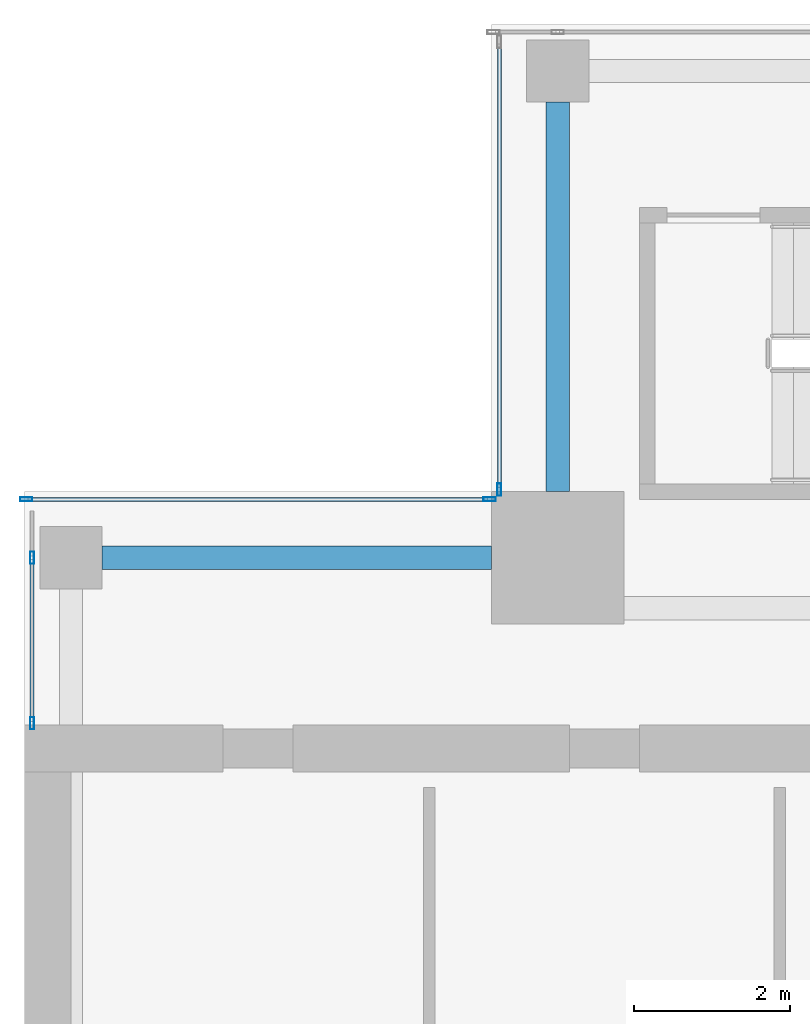
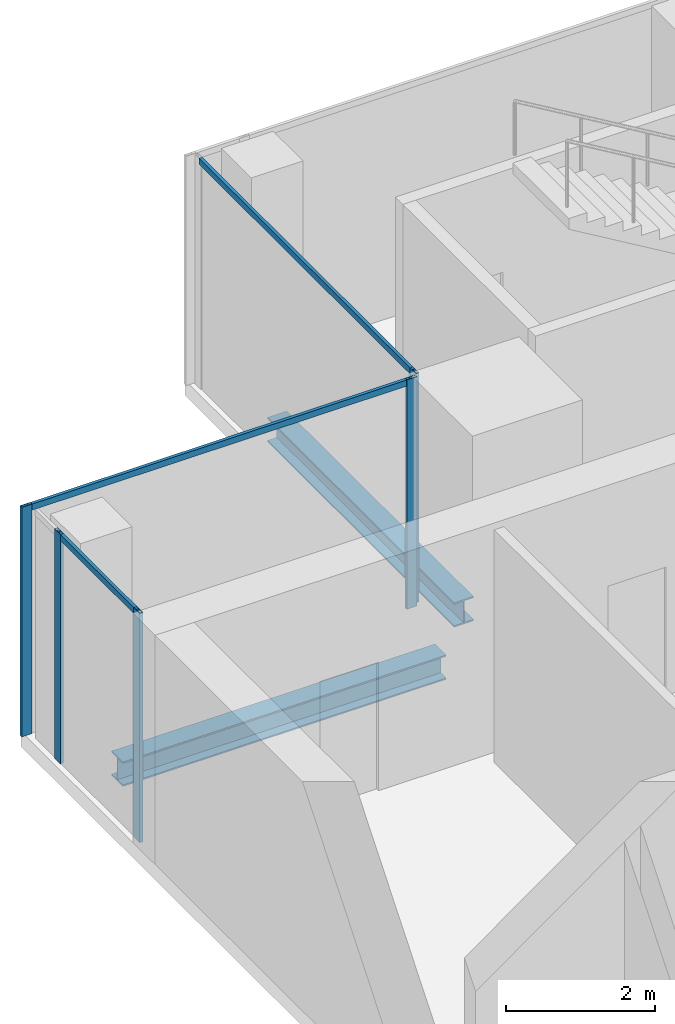
# One storey, part 13 of 29: 8 members, 2 beams, 3 elements without a shape of their own.
"""IFC4 building model written with IfcOpenShell, lengths in metres."""

from ifc_helpers import new_model, si_unit, direction, frame, origin, origin_2d, place, context, subcontext, project, spatial, hollow_rectangle, i_section, extrude, source, transform, mapped, material, material_profile, profile_set, type_object, element, aggregate, save


model = new_model("IFC4")

# Units and contexts
model_context = context("Model", 3, precision=1e-05, world=origin(), true_north=direction((0.0, 1.0)))
body_context = subcontext(model_context, "Body", "Model", "MODEL_VIEW")
ifc_project = project(units=[si_unit("LENGTHUNIT", "METRE"), si_unit("AREAUNIT", "SQUARE_METRE"), si_unit("VOLUMEUNIT", "CUBIC_METRE"), si_unit("PLANEANGLEUNIT", "RADIAN"), si_unit("MASSUNIT", "GRAM", prefix="KILO")], contexts=[model_context])

# Site, building, storey
site_placement = place(None, origin())
site = spatial("IfcSite", under=ifc_project, at=site_placement, CompositionType="ELEMENT")
building_placement = place(site_placement, origin())
building = spatial("IfcBuilding", under=site, at=building_placement, Name="Khomas Fold Tower", CompositionType="ELEMENT")
storey_placement = place(building_placement, frame((0.0, 0.0, 286.199951171875)))
storey = spatial("IfcBuildingStorey", under=building, at=storey_placement, Name="L64", CompositionType="ELEMENT", Elevation=286.199951171875)

# Beams
ifc_material_1 = material(Name="Steel S355", Category="steel")
ifc_material_profile_1 = material_profile(ifc_material_1, i_section(OverallWidth=0.300048828125, OverallDepth=0.39990234375, WebThickness=0.013427734375, FlangeThickness=0.02392578125, at=origin_2d()), Name="HE 400 B")
ifc_profile_set_1 = profile_set([ifc_material_profile_1], Name="Steel S355")
beam_type = type_object("IfcBeamType", Name="HE 400 B spandrel SB5", PredefinedType="SPANDREL", material=ifc_profile_set_1)
shared_shape_1 = source(origin(), body_context, "Body", "SweptSolid", [
    extrude(i_section(OverallWidth=0.300048828125, OverallDepth=0.39990234375, WebThickness=0.013427734375, FlangeThickness=0.02392578125, at=origin_2d()), origin(), (0.0, 0.0, 1.0), 5.0),
])
for number, where, z_axis, x_axis, name in (
    (1, (12.85009765625, 42.0, -0.449951171875), (0.0, 1.0, 0.0), (-1.0, 0.0, 0.0), "SB5"),
    (2, (7.0, 41.14990234375, -0.449951171875), (1.0, 0.0, 0.0), (0.0, 1.0, 0.0), "SB5"),
):
    element("IfcBeam", number, at=place(storey_placement, frame(where, z_axis=z_axis, x_axis=x_axis)), inside=storey, type_object=beam_type, Name=name, PredefinedType="SPANDREL", context=body_context, shape_type="MappedRepresentation", body=[
        mapped(shared_shape_1, transform((0.0, 0.0, 0.0))),
    ])

# Curtain wall, member
ifc_material_2 = material(Name="Aluminium framed double glazing", Category="aluminium")
curtain_wall_type = type_object("IfcCurtainWallType", Name="SK-Unitised clear-glass wall, upper floors CW3", PredefinedType="NOTDEFINED", material=ifc_material_2)
curtain_wall_1_placement = place(storey_placement, origin())
curtain_wall_1 = element("IfcCurtainWall", 3, at=curtain_wall_1_placement, inside=storey, type_object=curtain_wall_type, Name="CW3 corner return L64 07", PredefinedType="NOTDEFINED")
ifc_material_3 = material(Name="Aluminium", Category="aluminium")
ifc_material_profile_2 = material_profile(ifc_material_3, hollow_rectangle(XDim=0.050048828125, YDim=0.159912109375, WallThickness=0.00390625, at=origin_2d()), Name="SK-Unitised clear-glass wall, upper floors mullion CW3-M")
ifc_profile_set_2 = profile_set([ifc_material_profile_2], Name="Aluminium")
member_type_1 = type_object("IfcMemberType", Name="SK-Unitised clear-glass wall, upper floors mullion CW3-M", PredefinedType="MULLION", material=ifc_profile_set_2)
shared_shape_2 = source(origin(), body_context, "Body", "SweptSolid", [
    extrude(hollow_rectangle(XDim=0.050048828125, YDim=0.159912109375, WallThickness=0.00390625, at=origin_2d()), origin(), (0.0, 0.0, 1.0), 3.75),
])
member_1_placement = place(storey_placement, frame((12.10009765625, 42.02490234375, 0.0), z_axis=(0.0, 0.0, 1.0), x_axis=(1.0, 0.0, 0.0)))
member_1 = element("IfcMember", 4, at=member_1_placement, type_object=member_type_1, Name="CW3 mullion 2", PredefinedType="MULLION", context=body_context, shape_type="MappedRepresentation", body=[
    mapped(shared_shape_2, transform((0.0, 0.0, 0.0))),
])

# Curtain wall, members
curtain_wall_2_placement = place(storey_placement, origin())
curtain_wall_2 = element("IfcCurtainWall", 5, at=curtain_wall_2_placement, inside=storey, type_object=curtain_wall_type, Name="CW3 corner return L64 08", PredefinedType="NOTDEFINED")
member_2_placement = place(storey_placement, frame((11.97509765625, 41.89990234375, 0.0), z_axis=(0.0, 0.0, 1.0), x_axis=(0.0, -1.0, 0.0)))
member_2 = element("IfcMember", 6, at=member_2_placement, type_object=member_type_1, Name="CW3 mullion 1", PredefinedType="MULLION", context=body_context, shape_type="MappedRepresentation", body=[
    mapped(shared_shape_2, transform((0.0, 0.0, 0.0))),
])
member_3_placement = place(storey_placement, frame((6.02490234375, 41.89990234375, 0.0), z_axis=(0.0, 0.0, 1.0), x_axis=(0.0, -1.0, 0.0)))
member_3 = element("IfcMember", 7, at=member_3_placement, type_object=member_type_1, Name="CW3 mullion 2", PredefinedType="MULLION", context=body_context, shape_type="MappedRepresentation", body=[
    mapped(shared_shape_2, transform((0.0, 0.0, 0.0))),
])

curtain_wall_3_placement = place(storey_placement, origin())
curtain_wall_3 = element("IfcCurtainWall", 8, at=curtain_wall_3_placement, inside=storey, type_object=curtain_wall_type, Name="CW3 run L64 09-0", PredefinedType="NOTDEFINED")
member_4_placement = place(storey_placement, frame((6.10009765625, 41.14990234375, 0.0), z_axis=(0.0, 0.0, 1.0), x_axis=(1.0, 0.0, 0.0)))
member_4 = element("IfcMember", 9, at=member_4_placement, type_object=member_type_1, Name="CW3 mullion 2", PredefinedType="MULLION", context=body_context, shape_type="MappedRepresentation", body=[
    mapped(shared_shape_2, transform((0.0, 0.0, 0.0))),
])
member_5_placement = place(storey_placement, frame((6.10009765625, 39.02490234375, 0.0), z_axis=(0.0, 0.0, 1.0), x_axis=(1.0, 0.0, 0.0)))
member_5 = element("IfcMember", 10, at=member_5_placement, type_object=member_type_1, Name="CW3 mullion 3", PredefinedType="MULLION", context=body_context, shape_type="MappedRepresentation", body=[
    mapped(shared_shape_2, transform((0.0, 0.0, 0.0))),
])

# Member
ifc_material_4 = material(Name="Aluminium", Category="aluminium")
ifc_material_profile_3 = material_profile(ifc_material_4, hollow_rectangle(XDim=0.050048828125, YDim=0.10009765625, WallThickness=0.00390625, at=origin_2d()), Name="SK-Unitised clear-glass wall, upper floors transom CW3-T")
ifc_profile_set_3 = profile_set([ifc_material_profile_3], Name="Aluminium")
member_type_2 = type_object("IfcMemberType", Name="SK-Unitised clear-glass wall, upper floors transom CW3-T", PredefinedType="USERDEFINED", material=ifc_profile_set_3)
shared_shape_3 = source(origin(), body_context, "Body", "SweptSolid", [
    extrude(hollow_rectangle(XDim=0.050048828125, YDim=0.10009765625, WallThickness=0.00390625, at=origin_2d()), origin(), (0.0, 0.0, 1.0), 5.699951171875),
])
member_6_placement = place(storey_placement, frame((12.10009765625, 47.75, 3.699951171875), z_axis=(0.0, -1.0, 0.0), x_axis=(1.0, 0.0, 0.0)))
member_6 = element("IfcMember", 11, at=member_6_placement, type_object=member_type_2, Name="CW3 transom 1", ObjectType="TRANSOM", PredefinedType="USERDEFINED", context=body_context, shape_type="MappedRepresentation", body=[
    mapped(shared_shape_3, transform((0.0, 0.0, 0.0))),
])

aggregate(curtain_wall_1, [member_1, member_6])

shared_shape_4 = source(origin(), body_context, "Body", "SweptSolid", [
    extrude(hollow_rectangle(XDim=0.050048828125, YDim=0.10009765625, WallThickness=0.00390625, at=origin_2d()), origin(), (0.0, 0.0, 1.0), 5.89990234375),
])
member_7_placement = place(storey_placement, frame((11.949951171875, 41.89990234375, 3.699951171875), z_axis=(-1.0, 0.0, 0.0), x_axis=(0.0, -1.0, 0.0)))
member_7 = element("IfcMember", 12, at=member_7_placement, type_object=member_type_2, Name="CW3 transom 1", ObjectType="TRANSOM", PredefinedType="USERDEFINED", context=body_context, shape_type="MappedRepresentation", body=[
    mapped(shared_shape_4, transform((0.0, 0.0, 0.0))),
])

aggregate(curtain_wall_2, [member_2, member_3, member_7])

shared_shape_5 = source(origin(), body_context, "Body", "SweptSolid", [
    extrude(hollow_rectangle(XDim=0.050048828125, YDim=0.10009765625, WallThickness=0.00390625, at=origin_2d()), origin(), (0.0, 0.0, 1.0), 2.074951171875),
])
member_8_placement = place(storey_placement, frame((6.10009765625, 41.125, 3.699951171875), z_axis=(0.0, -1.0, 0.0), x_axis=(1.0, 0.0, 0.0)))
member_8 = element("IfcMember", 13, at=member_8_placement, type_object=member_type_2, Name="CW3 transom 2", ObjectType="TRANSOM", PredefinedType="USERDEFINED", context=body_context, shape_type="MappedRepresentation", body=[
    mapped(shared_shape_5, transform((0.0, 0.0, 0.0))),
])

aggregate(curtain_wall_3, [member_4, member_5, member_8])

save(model, "model.ifc")
